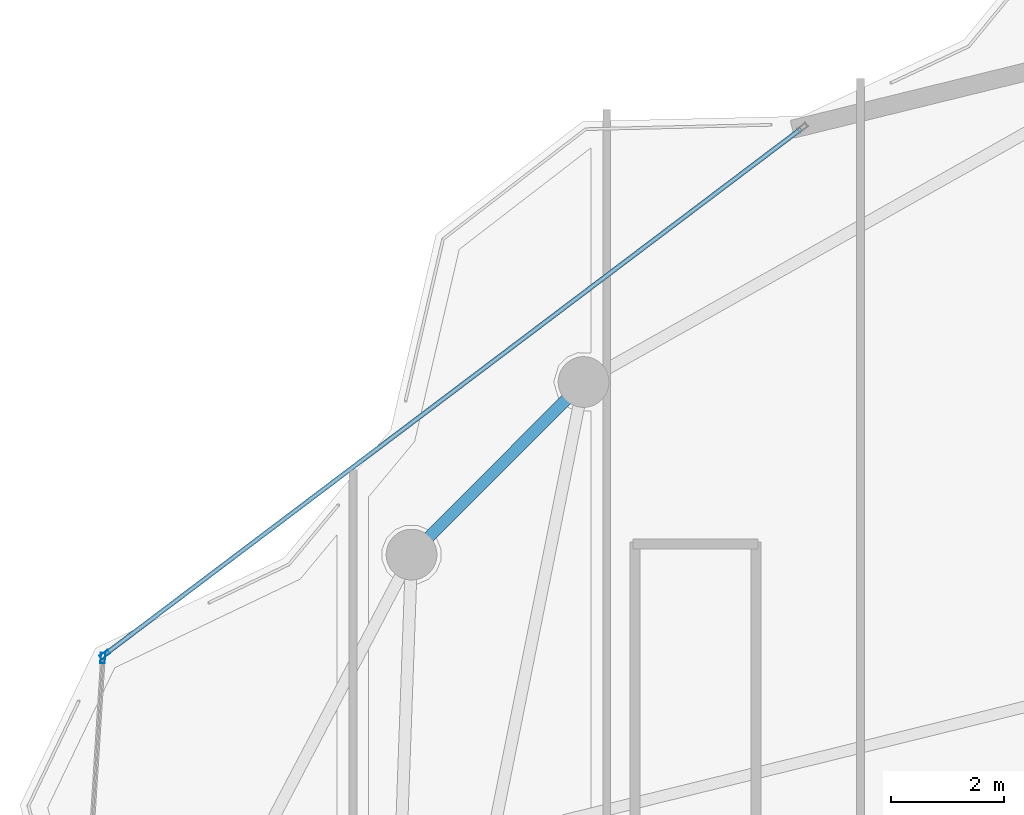
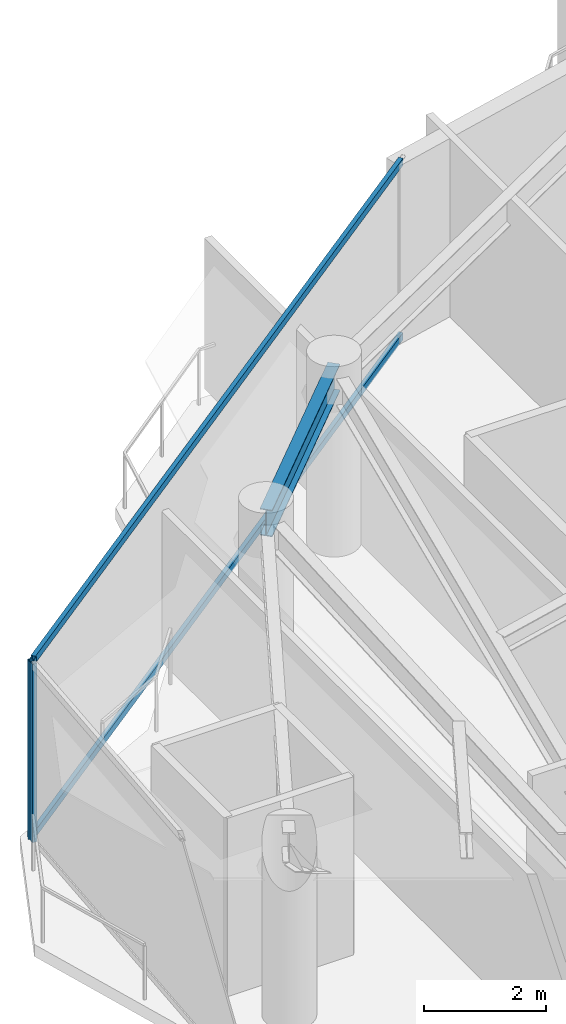
# One storey, part 18 of 30: 4 members, 1 beam, 2 elements without a shape of their own.
"""IFC4 building model written with IfcOpenShell, lengths in metres."""

from ifc_helpers import new_model, si_unit, direction, frame, origin, origin_2d, place, context, subcontext, project, spatial, hollow_rectangle, i_section, extrude, material, layer, layer_set, material_profile, profile_set, type_object, element, aggregate, save


model = new_model("IFC4")

# Units and contexts
model_context = context("Model", 3, precision=1e-05, world=origin(), true_north=direction((0.0, 1.0)))
body_context = subcontext(model_context, "Body", "Model", "MODEL_VIEW")
ifc_project = project(units=[si_unit("LENGTHUNIT", "METRE"), si_unit("AREAUNIT", "SQUARE_METRE"), si_unit("VOLUMEUNIT", "CUBIC_METRE"), si_unit("PLANEANGLEUNIT", "RADIAN"), si_unit("MASSUNIT", "GRAM", prefix="KILO")], contexts=[model_context])

# Site, building, storey
site_placement = place(None, origin())
site = spatial("IfcSite", under=ifc_project, at=site_placement, CompositionType="ELEMENT")
building_placement = place(site_placement, origin())
building = spatial("IfcBuilding", under=site, at=building_placement, Name="Kazevale Care Tower and Concert Hall", CompositionType="ELEMENT")
storey_placement = place(building_placement, frame((0.0, 0.0, 258.60009765625)))
storey = spatial("IfcBuildingStorey", under=building, at=storey_placement, Name="L68", CompositionType="ELEMENT", Elevation=258.60009765625)

# Curtain wall, member
ifc_material_1 = material(Name="Aluminium 6063-T6 and Low-E Glass", Category="aluminium")
ifc_layer = layer(ifc_material_1, 0.179931640625)
ifc_layer_set = layer_set([ifc_layer], Name="Aluminium 6063-T6 and Low-E Glass")
curtain_wall_type = type_object("IfcCurtainWallType", Name="Waist & Upper Residential Curtain Wall CW-4", PredefinedType="NOTDEFINED", material=ifc_layer_set)
curtain_wall_1_placement = place(storey_placement, origin())
curtain_wall_1 = element("IfcCurtainWall", 1, at=curtain_wall_1_placement, inside=storey, type_object=curtain_wall_type, Name="cw:L68:f13", PredefinedType="NOTDEFINED")
ifc_material_2 = material(Name="Aluminium 6063-T6", Category="aluminium")
ifc_material_profile_1 = material_profile(ifc_material_2, hollow_rectangle(XDim=0.080078125, YDim=0.179931640625, WallThickness=0.0048828125, at=origin_2d()), Name="ALU80x180x5")
ifc_profile_set_1 = profile_set([ifc_material_profile_1], Name="Aluminium 6063-T6")
member_type_1 = type_object("IfcMemberType", Name="CW-4 Mullion ALU80x180x5", PredefinedType="MULLION", material=ifc_profile_set_1)
member_1_placement = place(storey_placement, frame((17.0673828125, 49.47509765625, 0.0), z_axis=(0.0, 0.0, 1.0), x_axis=(-0.997979198047, 0.063541484604, 0.0)))
member_1 = element("IfcMember", 2, at=member_1_placement, type_object=member_type_1, Name="CW-4 mullion 2", PredefinedType="MULLION", context=body_context, shape_type="SweptSolid", body=[
    extrude(hollow_rectangle(XDim=0.080078125, YDim=0.179931640625, WallThickness=0.0048828125, at=origin_2d()), origin(), (0.0, 0.0, 1.0), 3.559814453125),
])
aggregate(curtain_wall_1, [member_1])

# Curtain wall, members
curtain_wall_2_placement = place(storey_placement, origin())
curtain_wall_2 = element("IfcCurtainWall", 3, at=curtain_wall_2_placement, inside=storey, type_object=curtain_wall_type, Name="cw:L68:f14", PredefinedType="NOTDEFINED")
member_2_placement = place(storey_placement, frame((17.101806640625, 49.5390625, 0.0), z_axis=(0.0, 0.0, 1.0), x_axis=(-0.602512583142, 0.798109382952, 0.0)))
member_2 = element("IfcMember", 4, at=member_2_placement, type_object=member_type_1, Name="CW-4 mullion 1", PredefinedType="MULLION", context=body_context, shape_type="SweptSolid", body=[
    extrude(hollow_rectangle(XDim=0.080078125, YDim=0.179931640625, WallThickness=0.0048828125, at=origin_2d()), origin(), (0.0, 0.0, 1.0), 3.559814453125),
])
ifc_material_profile_2 = material_profile(ifc_material_2, hollow_rectangle(XDim=0.080078125, YDim=0.139892578125, WallThickness=0.00390625, at=origin_2d()), Name="ALU80x140x4")
ifc_profile_set_2 = profile_set([ifc_material_profile_2], Name="Aluminium 6063-T6")
member_type_2 = type_object("IfcMemberType", Name="CW-4 Transom ALU80x140x4", PredefinedType="USERDEFINED", material=ifc_profile_set_2)
member_3_placement = place(storey_placement, frame((17.1337890625, 49.563232421875, 0.039794921875), z_axis=(0.798113604207, 0.602506991478, 0.0), x_axis=(-0.602506991478, 0.798113604207, 0.0)))
member_3 = element("IfcMember", 5, at=member_3_placement, type_object=member_type_2, Name="CW-4 transom 1.1", ObjectType="TRANSOM", PredefinedType="USERDEFINED", context=body_context, shape_type="SweptSolid", body=[
    extrude(hollow_rectangle(XDim=0.080078125, YDim=0.139892578125, WallThickness=0.00390625, at=origin_2d()), origin(), (0.0, 0.0, 1.0), 15.423095703125),
])
member_4_placement = place(storey_placement, frame((17.1337890625, 49.563232421875, 3.52001953125), z_axis=(0.798113604207, 0.602506991478, 0.0), x_axis=(-0.602506991478, 0.798113604207, 0.0)))
member_4 = element("IfcMember", 6, at=member_4_placement, type_object=member_type_2, Name="CW-4 transom 1.2", ObjectType="TRANSOM", PredefinedType="USERDEFINED", context=body_context, shape_type="SweptSolid", body=[
    extrude(hollow_rectangle(XDim=0.080078125, YDim=0.139892578125, WallThickness=0.00390625, at=origin_2d()), origin(), (0.0, 0.0, 1.0), 15.423095703125),
])
aggregate(curtain_wall_2, [member_2, member_3, member_4])

# Beam
ifc_material_3 = material(Name="Steel ASTM A572 Gr 50", Category="steel")
ifc_material_profile_3 = material_profile(ifc_material_3, i_section(OverallWidth=0.208984375, OverallDepth=0.532958984375, WebThickness=0.01025390625, FlangeThickness=0.015625, at=origin_2d()), Name="W530x92")
ifc_profile_set_3 = profile_set([ifc_material_profile_3], Name="Steel ASTM A572 Gr 50")
beam_type = type_object("IfcBeamType", Name="Upper Ring Beam W530x92", PredefinedType="BEAM", material=ifc_profile_set_3)
beam_placement = place(storey_placement, frame((25.590087890625, 54.3701171875, 3.29345703125), z_axis=(-0.705947429832, -0.708264234812, 0.0), x_axis=(0.708264234812, -0.705947429832, 0.0)))
element("IfcBeam", 7, at=beam_placement, inside=storey, type_object=beam_type, Name="beam:L68:ring:07", PredefinedType="BEAM", context=body_context, shape_type="SweptSolid", body=[
    extrude(i_section(OverallWidth=0.208984375, OverallDepth=0.532958984375, WebThickness=0.01025390625, FlangeThickness=0.015625, at=origin_2d()), origin(), (0.0, 0.0, 1.0), 4.320556640625),
])

save(model, "model.ifc")
